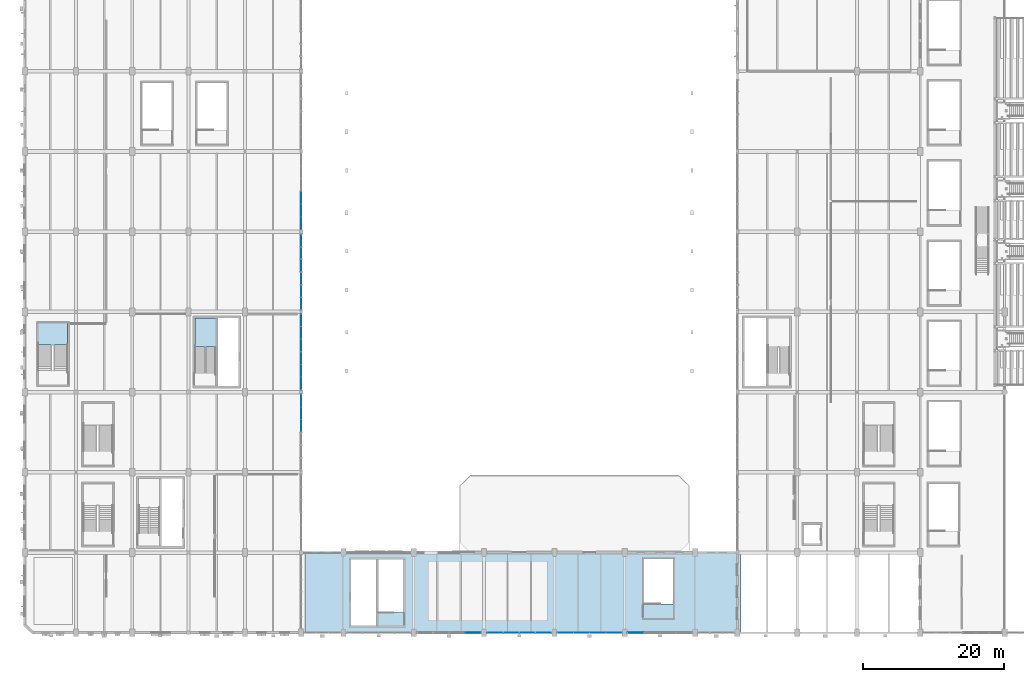
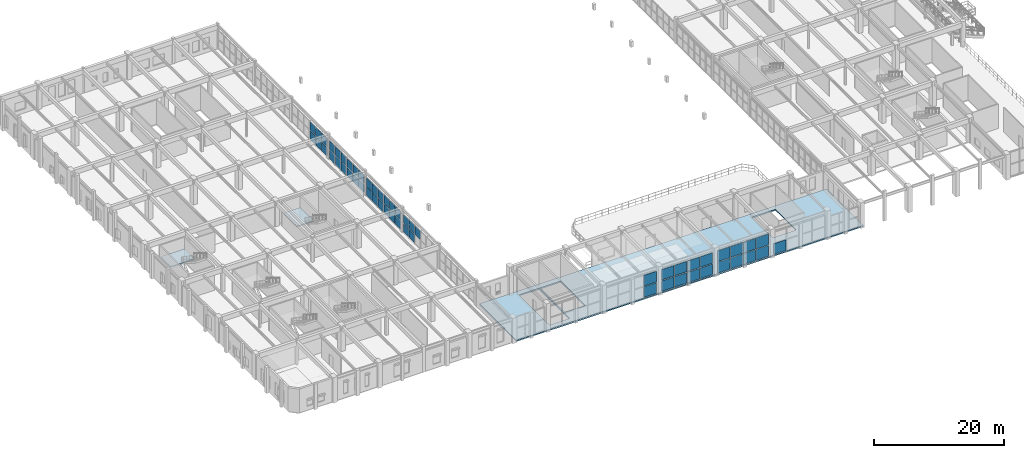
# One storey, part 69 of 106: 54 plates, 3 slabs, 12 elements without a shape of their own.
"""IFC4 building model written with IfcOpenShell, lengths in metres."""

from ifc_helpers import new_model, si_unit, direction, frame, origin, origin_2d, place, context, subcontext, project, spatial, polyline, rectangle, outline, extrude, material, layer, layer_set, type_object, element, aggregate, save


model = new_model("IFC4")

# Units and contexts
model_context = context("Model", 3, precision=1e-05, world=origin(), true_north=direction((0.0, 1.0)))
body_context = subcontext(model_context, "Body", "Model", "MODEL_VIEW")
ifc_project = project(units=[si_unit("LENGTHUNIT", "METRE"), si_unit("AREAUNIT", "SQUARE_METRE"), si_unit("VOLUMEUNIT", "CUBIC_METRE"), si_unit("PLANEANGLEUNIT", "RADIAN"), si_unit("MASSUNIT", "GRAM", prefix="KILO"), si_unit("POWERUNIT", "WATT"), si_unit("THERMODYNAMICTEMPERATUREUNIT", "KELVIN")], contexts=[model_context])

# Site, building, storey
site_placement = place(None, origin())
site = spatial("IfcSite", under=ifc_project, at=site_placement, CompositionType="ELEMENT")
building_placement = place(site_placement, origin())
building = spatial("IfcBuilding", under=site, at=building_placement, Name="Kelmbourne Parkland Aquatics Centre", CompositionType="ELEMENT")
storey_placement = place(building_placement, frame((0.0, 0.0, 5.39990234375)))
storey = spatial("IfcBuildingStorey", under=building, at=storey_placement, Name="L01", CompositionType="ELEMENT", Elevation=5.39990234375)

# Curtain wall, plates
ifc_material_1 = material(Name="Thermally broken anodised aluminium framing", Category="aluminium")
ifc_layer_1 = layer(ifc_material_1, 0.179931640625)
ifc_layer_set_1 = layer_set([ifc_layer_1], Name="Thermally broken anodised aluminium framing")
curtain_wall_type_1 = type_object("IfcCurtainWallType", Name="CW-20", PredefinedType="NOTDEFINED", material=ifc_layer_set_1)
curtain_wall_1_placement = place(storey_placement, origin())
curtain_wall_1 = element("IfcCurtainWall", 1, at=curtain_wall_1_placement, inside=storey, type_object=curtain_wall_type_1, Name="Facade curtain wall CW-L01-164", PredefinedType="NOTDEFINED")
ifc_material_2 = material(Name="Double-glazed low-e laminated safety glass", Category="glass")
ifc_layer_2 = layer(ifc_material_2, 0.02392578125)
ifc_layer_set_2 = layer_set([ifc_layer_2], Name="Double-glazed low-e laminated safety glass")
plate_type_1 = type_object("IfcPlateType", Name="PL-CWP-1", PredefinedType="CURTAIN_PANEL", material=ifc_layer_set_2)
plate_1_placement = place(storey_placement, frame((67.572021484375, 0.800048828125, 2.306640625), z_axis=(0.0, 0.0, 1.0), x_axis=(1.0, 0.0, 0.0)))
plate_1 = element("IfcPlate", 2, at=plate_1_placement, type_object=plate_type_1, Name="CW-L01-164 vision glazing 1-0", PredefinedType="CURTAIN_PANEL", context=body_context, shape_type="SweptSolid", body=[
    extrude(rectangle(XDim=2.1923828125, YDim=0.02392578125, at=origin_2d()), origin(), (0.0, 0.0, 1.0), 1.96142578125),
])
plate_2_placement = place(storey_placement, frame((69.857421875, 0.800048828125, 2.306640625), z_axis=(0.0, 0.0, 1.0), x_axis=(1.0, 0.0, 0.0)))
plate_2 = element("IfcPlate", 3, at=plate_2_placement, type_object=plate_type_1, Name="CW-L01-164 vision glazing 1-1", PredefinedType="CURTAIN_PANEL", context=body_context, shape_type="SweptSolid", body=[
    extrude(rectangle(XDim=2.192138671875, YDim=0.02392578125, at=origin_2d()), origin(), (0.0, 0.0, 1.0), 1.96142578125),
])
plate_3_placement = place(storey_placement, frame((72.142578125, 0.800048828125, 2.306640625), z_axis=(0.0, 0.0, 1.0), x_axis=(1.0, 0.0, 0.0)))
plate_3 = element("IfcPlate", 4, at=plate_3_placement, type_object=plate_type_1, Name="CW-L01-164 vision glazing 1-2", PredefinedType="CURTAIN_PANEL", context=body_context, shape_type="SweptSolid", body=[
    extrude(rectangle(XDim=2.1923828125, YDim=0.02392578125, at=origin_2d()), origin(), (0.0, 0.0, 1.0), 1.96142578125),
])
plate_4_placement = place(storey_placement, frame((74.427978515625, 0.800048828125, 2.306640625), z_axis=(0.0, 0.0, 1.0), x_axis=(1.0, 0.0, 0.0)))
plate_4 = element("IfcPlate", 5, at=plate_4_placement, type_object=plate_type_1, Name="CW-L01-164 vision glazing 1-3", PredefinedType="CURTAIN_PANEL", context=body_context, shape_type="SweptSolid", body=[
    extrude(rectangle(XDim=2.192138671875, YDim=0.02392578125, at=origin_2d()), origin(), (0.0, 0.0, 1.0), 1.96142578125),
])

ifc_layer_3 = layer(ifc_material_1, 0.179931640625)
ifc_layer_set_3 = layer_set([ifc_layer_3], Name="Thermally broken anodised aluminium framing")
curtain_wall_type_2 = type_object("IfcCurtainWallType", Name="CW-21", PredefinedType="NOTDEFINED", material=ifc_layer_set_3)
curtain_wall_2_placement = place(storey_placement, origin())
curtain_wall_2 = element("IfcCurtainWall", 6, at=curtain_wall_2_placement, inside=storey, type_object=curtain_wall_type_2, Name="Facade curtain wall CW-L01-165", PredefinedType="NOTDEFINED")
plate_5_placement = place(storey_placement, frame((77.55712890625, 0.800048828125, 0.1171875), z_axis=(0.0, 0.0, 1.0), x_axis=(1.0, 0.0, 0.0)))
plate_5 = element("IfcPlate", 7, at=plate_5_placement, type_object=plate_type_1, Name="CW-L01-165 vision glazing 0-0", PredefinedType="CURTAIN_PANEL", context=body_context, shape_type="SweptSolid", body=[
    extrude(rectangle(XDim=2.2421875, YDim=0.02392578125, at=origin_2d()), origin(), (0.0, 0.0, 1.0), 2.051513671875),
])
plate_6_placement = place(storey_placement, frame((79.852294921875, 0.800048828125, 0.1171875), z_axis=(0.0, 0.0, 1.0), x_axis=(1.0, 0.0, 0.0)))
plate_6 = element("IfcPlate", 8, at=plate_6_placement, type_object=plate_type_1, Name="CW-L01-165 vision glazing 0-1", PredefinedType="CURTAIN_PANEL", context=body_context, shape_type="SweptSolid", body=[
    extrude(rectangle(XDim=2.2421875, YDim=0.02392578125, at=origin_2d()), origin(), (0.0, 0.0, 1.0), 2.051513671875),
])
plate_7_placement = place(storey_placement, frame((82.147705078125, 0.800048828125, 0.1171875), z_axis=(0.0, 0.0, 1.0), x_axis=(1.0, 0.0, 0.0)))
plate_7 = element("IfcPlate", 9, at=plate_7_placement, type_object=plate_type_1, Name="CW-L01-165 vision glazing 0-2", PredefinedType="CURTAIN_PANEL", context=body_context, shape_type="SweptSolid", body=[
    extrude(rectangle(XDim=2.2421875, YDim=0.02392578125, at=origin_2d()), origin(), (0.0, 0.0, 1.0), 2.051513671875),
])
plate_8_placement = place(storey_placement, frame((84.44287109375, 0.800048828125, 0.1171875), z_axis=(0.0, 0.0, 1.0), x_axis=(1.0, 0.0, 0.0)))
plate_8 = element("IfcPlate", 10, at=plate_8_placement, type_object=plate_type_1, Name="CW-L01-165 vision glazing 0-3", PredefinedType="CURTAIN_PANEL", context=body_context, shape_type="SweptSolid", body=[
    extrude(rectangle(XDim=2.2421875, YDim=0.02392578125, at=origin_2d()), origin(), (0.0, 0.0, 1.0), 2.051513671875),
])

ifc_layer_4 = layer(ifc_material_1, 0.179931640625)
ifc_layer_set_4 = layer_set([ifc_layer_4], Name="Thermally broken anodised aluminium framing")
curtain_wall_type_3 = type_object("IfcCurtainWallType", Name="CW-14", PredefinedType="NOTDEFINED", material=ifc_layer_set_4)
curtain_wall_3_placement = place(storey_placement, origin())
curtain_wall_3 = element("IfcCurtainWall", 11, at=curtain_wall_3_placement, inside=storey, type_object=curtain_wall_type_3, Name="Facade curtain wall CW-L01-230", PredefinedType="NOTDEFINED")
plate_9_placement = place(storey_placement, frame((40.0, 30.200439453125, 1.90673828125), z_axis=(0.0, 0.0, 1.0), x_axis=(0.0, 1.0, 0.0)))
plate_9 = element("IfcPlate", 12, at=plate_9_placement, type_object=plate_type_1, Name="CW-L01-230 vision glazing 1-0", PredefinedType="CURTAIN_PANEL", context=body_context, shape_type="SweptSolid", body=[
    extrude(rectangle(XDim=1.73291015625, YDim=0.02392578125, at=origin_2d()), origin(), (0.0, 0.0, 1.0), 1.5615234375),
])
plate_10_placement = place(storey_placement, frame((40.0, 31.986572265625, 1.90673828125), z_axis=(0.0, 0.0, 1.0), x_axis=(0.0, 1.0, 0.0)))
plate_10 = element("IfcPlate", 13, at=plate_10_placement, type_object=plate_type_1, Name="CW-L01-230 vision glazing 1-1", PredefinedType="CURTAIN_PANEL", context=body_context, shape_type="SweptSolid", body=[
    extrude(rectangle(XDim=1.73291015625, YDim=0.02392578125, at=origin_2d()), origin(), (0.0, 0.0, 1.0), 1.5615234375),
])
plate_11_placement = place(storey_placement, frame((40.0, 33.7724609375, 1.90673828125), z_axis=(0.0, 0.0, 1.0), x_axis=(0.0, 1.0, 0.0)))
plate_11 = element("IfcPlate", 14, at=plate_11_placement, type_object=plate_type_1, Name="CW-L01-230 vision glazing 1-2", PredefinedType="CURTAIN_PANEL", context=body_context, shape_type="SweptSolid", body=[
    extrude(rectangle(XDim=1.73291015625, YDim=0.02392578125, at=origin_2d()), origin(), (0.0, 0.0, 1.0), 1.5615234375),
])

ifc_layer_5 = layer(ifc_material_1, 0.179931640625)
ifc_layer_set_5 = layer_set([ifc_layer_5], Name="Thermally broken anodised aluminium framing")
curtain_wall_type_4 = type_object("IfcCurtainWallType", Name="CW-15", PredefinedType="NOTDEFINED", material=ifc_layer_set_5)
curtain_wall_4_placement = place(storey_placement, origin())
curtain_wall_4 = element("IfcCurtainWall", 15, at=curtain_wall_4_placement, inside=storey, type_object=curtain_wall_type_4, Name="Facade curtain wall CW-L01-231", PredefinedType="NOTDEFINED")
plate_12_placement = place(storey_placement, frame((40.0, 36.230712890625, 0.1171875), z_axis=(0.0, 0.0, 1.0), x_axis=(0.0, 1.0, 0.0)))
plate_12 = element("IfcPlate", 16, at=plate_12_placement, type_object=plate_type_1, Name="CW-L01-231 vision glazing 0-0", PredefinedType="CURTAIN_PANEL", context=body_context, shape_type="SweptSolid", body=[
    extrude(rectangle(XDim=1.7197265625, YDim=0.02392578125, at=origin_2d()), origin(), (0.0, 0.0, 1.0), 1.651611328125),
])
plate_13_placement = place(storey_placement, frame((40.0, 38.013427734375, 0.1171875), z_axis=(0.0, 0.0, 1.0), x_axis=(0.0, 1.0, 0.0)))
plate_13 = element("IfcPlate", 17, at=plate_13_placement, type_object=plate_type_1, Name="CW-L01-231 vision glazing 0-1", PredefinedType="CURTAIN_PANEL", context=body_context, shape_type="SweptSolid", body=[
    extrude(rectangle(XDim=1.719482421875, YDim=0.02392578125, at=origin_2d()), origin(), (0.0, 0.0, 1.0), 1.651611328125),
])
plate_14_placement = place(storey_placement, frame((40.0, 39.796142578125, 0.1171875), z_axis=(0.0, 0.0, 1.0), x_axis=(0.0, 1.0, 0.0)))
plate_14 = element("IfcPlate", 18, at=plate_14_placement, type_object=plate_type_1, Name="CW-L01-231 vision glazing 0-2", PredefinedType="CURTAIN_PANEL", context=body_context, shape_type="SweptSolid", body=[
    extrude(rectangle(XDim=1.7197265625, YDim=0.02392578125, at=origin_2d()), origin(), (0.0, 0.0, 1.0), 1.651611328125),
])

ifc_layer_6 = layer(ifc_material_1, 0.179931640625)
ifc_layer_set_6 = layer_set([ifc_layer_6], Name="Thermally broken anodised aluminium framing")
curtain_wall_type_5 = type_object("IfcCurtainWallType", Name="CW-17", PredefinedType="NOTDEFINED", material=ifc_layer_set_6)
curtain_wall_5_placement = place(storey_placement, origin())
curtain_wall_5 = element("IfcCurtainWall", 19, at=curtain_wall_5_placement, inside=storey, type_object=curtain_wall_type_5, Name="Facade curtain wall CW-L01-233", PredefinedType="NOTDEFINED")
plate_15_placement = place(storey_placement, frame((40.0, 47.58740234375, 1.90673828125), z_axis=(0.0, 0.0, 1.0), x_axis=(0.0, 1.0, 0.0)))
plate_15 = element("IfcPlate", 20, at=plate_15_placement, type_object=plate_type_1, Name="CW-L01-233 vision glazing 1-0", PredefinedType="CURTAIN_PANEL", context=body_context, shape_type="SweptSolid", body=[
    extrude(rectangle(XDim=1.693115234375, YDim=0.02392578125, at=origin_2d()), origin(), (0.0, 0.0, 1.0), 1.5615234375),
])
plate_16_placement = place(storey_placement, frame((40.0, 49.363525390625, 1.90673828125), z_axis=(0.0, 0.0, 1.0), x_axis=(0.0, 1.0, 0.0)))
plate_16 = element("IfcPlate", 21, at=plate_16_placement, type_object=plate_type_1, Name="CW-L01-233 vision glazing 1-1", PredefinedType="CURTAIN_PANEL", context=body_context, shape_type="SweptSolid", body=[
    extrude(rectangle(XDim=1.693115234375, YDim=0.02392578125, at=origin_2d()), origin(), (0.0, 0.0, 1.0), 1.5615234375),
])
plate_17_placement = place(storey_placement, frame((40.0, 51.139404296875, 1.90673828125), z_axis=(0.0, 0.0, 1.0), x_axis=(0.0, 1.0, 0.0)))
plate_17 = element("IfcPlate", 22, at=plate_17_placement, type_object=plate_type_1, Name="CW-L01-233 vision glazing 1-2", PredefinedType="CURTAIN_PANEL", context=body_context, shape_type="SweptSolid", body=[
    extrude(rectangle(XDim=1.693115234375, YDim=0.02392578125, at=origin_2d()), origin(), (0.0, 0.0, 1.0), 1.5615234375),
])

ifc_layer_7 = layer(ifc_material_1, 0.179931640625)
ifc_layer_set_7 = layer_set([ifc_layer_7], Name="Thermally broken anodised aluminium framing")
curtain_wall_type_6 = type_object("IfcCurtainWallType", Name="CW-18", PredefinedType="NOTDEFINED", material=ifc_layer_set_7)
curtain_wall_6_placement = place(storey_placement, origin())
curtain_wall_6 = element("IfcCurtainWall", 23, at=curtain_wall_6_placement, inside=storey, type_object=curtain_wall_type_6, Name="Facade curtain wall CW-L01-234", PredefinedType="NOTDEFINED")
plate_18_placement = place(storey_placement, frame((40.0, 53.013916015625, 0.1171875), z_axis=(0.0, 0.0, 1.0), x_axis=(0.0, 1.0, 0.0)))
plate_18 = element("IfcPlate", 24, at=plate_18_placement, type_object=plate_type_1, Name="CW-L01-234 vision glazing 0-0", PredefinedType="CURTAIN_PANEL", context=body_context, shape_type="SweptSolid", body=[
    extrude(rectangle(XDim=1.6796875, YDim=0.02392578125, at=origin_2d()), origin(), (0.0, 0.0, 1.0), 1.651611328125),
])
plate_19_placement = place(storey_placement, frame((40.0, 54.78662109375, 0.1171875), z_axis=(0.0, 0.0, 1.0), x_axis=(0.0, 1.0, 0.0)))
plate_19 = element("IfcPlate", 25, at=plate_19_placement, type_object=plate_type_1, Name="CW-L01-234 vision glazing 0-1", PredefinedType="CURTAIN_PANEL", context=body_context, shape_type="SweptSolid", body=[
    extrude(rectangle(XDim=1.6796875, YDim=0.02392578125, at=origin_2d()), origin(), (0.0, 0.0, 1.0), 1.651611328125),
])
plate_20_placement = place(storey_placement, frame((40.0, 56.55908203125, 0.1171875), z_axis=(0.0, 0.0, 1.0), x_axis=(0.0, 1.0, 0.0)))
plate_20 = element("IfcPlate", 26, at=plate_20_placement, type_object=plate_type_1, Name="CW-L01-234 vision glazing 0-2", PredefinedType="CURTAIN_PANEL", context=body_context, shape_type="SweptSolid", body=[
    extrude(rectangle(XDim=1.6796875, YDim=0.02392578125, at=origin_2d()), origin(), (0.0, 0.0, 1.0), 1.651611328125),
])

# Curtain wall, plate
ifc_layer_8 = layer(ifc_material_1, 0.179931640625)
ifc_layer_set_8 = layer_set([ifc_layer_8], Name="Thermally broken anodised aluminium framing")
curtain_wall_type_7 = type_object("IfcCurtainWallType", Name="CW-19", PredefinedType="NOTDEFINED", material=ifc_layer_set_8)
curtain_wall_7_placement = place(storey_placement, origin())
curtain_wall_7 = element("IfcCurtainWall", 27, at=curtain_wall_7_placement, inside=storey, type_object=curtain_wall_type_7, Name="Facade curtain wall CW-L01-163", PredefinedType="NOTDEFINED")
ifc_layer_9 = layer(ifc_material_2, 0.035888671875)
ifc_layer_set_9 = layer_set([ifc_layer_9], Name="Double-glazed low-e laminated safety glass")
plate_type_2 = type_object("IfcPlateType", Name="PL-CWP-2", PredefinedType="CURTAIN_PANEL", material=ifc_layer_set_9)
plate_21_placement = place(storey_placement, frame((64.431640625, 0.800048828125, 0.14697265625), z_axis=(0.0, 0.0, 1.0), x_axis=(1.0, 0.0, 0.0)))
plate_21 = element("IfcPlate", 28, at=plate_21_placement, type_object=plate_type_2, Name="CW-L01-163 vision glazing 0-3", PredefinedType="CURTAIN_PANEL", context=body_context, shape_type="SweptSolid", body=[
    extrude(rectangle(XDim=2.20458984375, YDim=0.035888671875, at=origin_2d()), origin(), (0.0, 0.0, 1.0), 2.006591796875),
])

# Plate
plate_22_placement = place(storey_placement, frame((77.55712890625, 0.800048828125, 2.2763671875), z_axis=(0.0, 0.0, 1.0), x_axis=(1.0, 0.0, 0.0)))
plate_22 = element("IfcPlate", 29, at=plate_22_placement, type_object=plate_type_2, Name="CW-L01-165 vision glazing 1-0", PredefinedType="CURTAIN_PANEL", context=body_context, shape_type="SweptSolid", body=[
    extrude(rectangle(XDim=2.2421875, YDim=0.035888671875, at=origin_2d()), origin(), (0.0, 0.0, 1.0), 2.051513671875),
])

plate_23_placement = place(storey_placement, frame((79.852294921875, 0.800048828125, 2.2763671875), z_axis=(0.0, 0.0, 1.0), x_axis=(1.0, 0.0, 0.0)))
plate_23 = element("IfcPlate", 30, at=plate_23_placement, type_object=plate_type_2, Name="CW-L01-165 vision glazing 1-1", PredefinedType="CURTAIN_PANEL", context=body_context, shape_type="SweptSolid", body=[
    extrude(rectangle(XDim=2.2421875, YDim=0.035888671875, at=origin_2d()), origin(), (0.0, 0.0, 1.0), 2.051513671875),
])

plate_24_placement = place(storey_placement, frame((82.147705078125, 0.800048828125, 2.2763671875), z_axis=(0.0, 0.0, 1.0), x_axis=(1.0, 0.0, 0.0)))
plate_24 = element("IfcPlate", 31, at=plate_24_placement, type_object=plate_type_2, Name="CW-L01-165 vision glazing 1-2", PredefinedType="CURTAIN_PANEL", context=body_context, shape_type="SweptSolid", body=[
    extrude(rectangle(XDim=2.2421875, YDim=0.035888671875, at=origin_2d()), origin(), (0.0, 0.0, 1.0), 2.051513671875),
])

plate_25_placement = place(storey_placement, frame((84.44287109375, 0.800048828125, 2.2763671875), z_axis=(0.0, 0.0, 1.0), x_axis=(1.0, 0.0, 0.0)))
plate_25 = element("IfcPlate", 32, at=plate_25_placement, type_object=plate_type_2, Name="CW-L01-165 vision glazing 1-3", PredefinedType="CURTAIN_PANEL", context=body_context, shape_type="SweptSolid", body=[
    extrude(rectangle(XDim=2.2421875, YDim=0.035888671875, at=origin_2d()), origin(), (0.0, 0.0, 1.0), 2.051513671875),
])

aggregate(curtain_wall_2, [plate_5, plate_6, plate_7, plate_8, plate_22, plate_23, plate_24, plate_25])

# Curtain wall, plate
ifc_layer_10 = layer(ifc_material_1, 0.179931640625)
ifc_layer_set_10 = layer_set([ifc_layer_10], Name="Thermally broken anodised aluminium framing")
curtain_wall_type_8 = type_object("IfcCurtainWallType", Name="CW-22", PredefinedType="NOTDEFINED", material=ifc_layer_set_10)
curtain_wall_8_placement = place(storey_placement, origin())
curtain_wall_8 = element("IfcCurtainWall", 33, at=curtain_wall_8_placement, inside=storey, type_object=curtain_wall_type_8, Name="Facade curtain wall CW-L01-166", PredefinedType="NOTDEFINED")
plate_26_placement = place(storey_placement, frame((87.560791015625, 0.800048828125, 0.14697265625), z_axis=(0.0, 0.0, 1.0), x_axis=(1.0, 0.0, 0.0)))
plate_26 = element("IfcPlate", 34, at=plate_26_placement, type_object=plate_type_2, Name="CW-L01-166 vision glazing 0-0", PredefinedType="CURTAIN_PANEL", context=body_context, shape_type="SweptSolid", body=[
    extrude(rectangle(XDim=2.229736328125, YDim=0.035888671875, at=origin_2d()), origin(), (0.0, 0.0, 1.0), 2.006591796875),
])
aggregate(curtain_wall_8, [plate_26])

# Plate
plate_27_placement = place(storey_placement, frame((40.0, 36.230712890625, 1.87646484375), z_axis=(0.0, 0.0, 1.0), x_axis=(0.0, 1.0, 0.0)))
plate_27 = element("IfcPlate", 35, at=plate_27_placement, type_object=plate_type_2, Name="CW-L01-231 vision glazing 1-0", PredefinedType="CURTAIN_PANEL", context=body_context, shape_type="SweptSolid", body=[
    extrude(rectangle(XDim=1.7197265625, YDim=0.035888671875, at=origin_2d()), origin(), (0.0, 0.0, 1.0), 1.651611328125),
])

plate_28_placement = place(storey_placement, frame((40.0, 38.013427734375, 1.87646484375), z_axis=(0.0, 0.0, 1.0), x_axis=(0.0, 1.0, 0.0)))
plate_28 = element("IfcPlate", 36, at=plate_28_placement, type_object=plate_type_2, Name="CW-L01-231 vision glazing 1-1", PredefinedType="CURTAIN_PANEL", context=body_context, shape_type="SweptSolid", body=[
    extrude(rectangle(XDim=1.719482421875, YDim=0.035888671875, at=origin_2d()), origin(), (0.0, 0.0, 1.0), 1.651611328125),
])

plate_29_placement = place(storey_placement, frame((40.0, 39.796142578125, 1.87646484375), z_axis=(0.0, 0.0, 1.0), x_axis=(0.0, 1.0, 0.0)))
plate_29 = element("IfcPlate", 37, at=plate_29_placement, type_object=plate_type_2, Name="CW-L01-231 vision glazing 1-2", PredefinedType="CURTAIN_PANEL", context=body_context, shape_type="SweptSolid", body=[
    extrude(rectangle(XDim=1.7197265625, YDim=0.035888671875, at=origin_2d()), origin(), (0.0, 0.0, 1.0), 1.651611328125),
])

aggregate(curtain_wall_4, [plate_12, plate_13, plate_14, plate_27, plate_28, plate_29])

# Curtain wall, plates
ifc_layer_11 = layer(ifc_material_1, 0.179931640625)
ifc_layer_set_11 = layer_set([ifc_layer_11], Name="Thermally broken anodised aluminium framing")
curtain_wall_type_9 = type_object("IfcCurtainWallType", Name="CW-16", PredefinedType="NOTDEFINED", material=ifc_layer_set_11)
curtain_wall_9_placement = place(storey_placement, origin())
curtain_wall_9 = element("IfcCurtainWall", 38, at=curtain_wall_9_placement, inside=storey, type_object=curtain_wall_type_9, Name="Facade curtain wall CW-L01-232", PredefinedType="NOTDEFINED")
plate_30_placement = place(storey_placement, frame((40.0, 41.6572265625, 0.14697265625), z_axis=(0.0, 0.0, 1.0), x_axis=(0.0, 1.0, 0.0)))
plate_30 = element("IfcPlate", 39, at=plate_30_placement, type_object=plate_type_2, Name="CW-L01-232 vision glazing 0-0", PredefinedType="CURTAIN_PANEL", context=body_context, shape_type="SweptSolid", body=[
    extrude(rectangle(XDim=1.706298828125, YDim=0.035888671875, at=origin_2d()), origin(), (0.0, 0.0, 1.0), 1.6064453125),
])
plate_31_placement = place(storey_placement, frame((40.0, 43.4365234375, 0.14697265625), z_axis=(0.0, 0.0, 1.0), x_axis=(0.0, 1.0, 0.0)))
plate_31 = element("IfcPlate", 40, at=plate_31_placement, type_object=plate_type_2, Name="CW-L01-232 vision glazing 0-1", PredefinedType="CURTAIN_PANEL", context=body_context, shape_type="SweptSolid", body=[
    extrude(rectangle(XDim=1.706298828125, YDim=0.035888671875, at=origin_2d()), origin(), (0.0, 0.0, 1.0), 1.6064453125),
])
plate_32_placement = place(storey_placement, frame((40.0, 45.2158203125, 0.14697265625), z_axis=(0.0, 0.0, 1.0), x_axis=(0.0, 1.0, 0.0)))
plate_32 = element("IfcPlate", 41, at=plate_32_placement, type_object=plate_type_2, Name="CW-L01-232 vision glazing 0-2", PredefinedType="CURTAIN_PANEL", context=body_context, shape_type="SweptSolid", body=[
    extrude(rectangle(XDim=1.706298828125, YDim=0.035888671875, at=origin_2d()), origin(), (0.0, 0.0, 1.0), 1.6064453125),
])

# Plate
plate_33_placement = place(storey_placement, frame((40.0, 53.013916015625, 1.87646484375), z_axis=(0.0, 0.0, 1.0), x_axis=(0.0, 1.0, 0.0)))
plate_33 = element("IfcPlate", 42, at=plate_33_placement, type_object=plate_type_2, Name="CW-L01-234 vision glazing 1-0", PredefinedType="CURTAIN_PANEL", context=body_context, shape_type="SweptSolid", body=[
    extrude(rectangle(XDim=1.6796875, YDim=0.035888671875, at=origin_2d()), origin(), (0.0, 0.0, 1.0), 1.651611328125),
])

plate_34_placement = place(storey_placement, frame((40.0, 54.78662109375, 1.87646484375), z_axis=(0.0, 0.0, 1.0), x_axis=(0.0, 1.0, 0.0)))
plate_34 = element("IfcPlate", 43, at=plate_34_placement, type_object=plate_type_2, Name="CW-L01-234 vision glazing 1-1", PredefinedType="CURTAIN_PANEL", context=body_context, shape_type="SweptSolid", body=[
    extrude(rectangle(XDim=1.6796875, YDim=0.035888671875, at=origin_2d()), origin(), (0.0, 0.0, 1.0), 1.651611328125),
])

plate_35_placement = place(storey_placement, frame((40.0, 56.55908203125, 1.87646484375), z_axis=(0.0, 0.0, 1.0), x_axis=(0.0, 1.0, 0.0)))
plate_35 = element("IfcPlate", 44, at=plate_35_placement, type_object=plate_type_2, Name="CW-L01-234 vision glazing 1-2", PredefinedType="CURTAIN_PANEL", context=body_context, shape_type="SweptSolid", body=[
    extrude(rectangle(XDim=1.6796875, YDim=0.035888671875, at=origin_2d()), origin(), (0.0, 0.0, 1.0), 1.651611328125),
])

aggregate(curtain_wall_6, [plate_18, plate_19, plate_20, plate_33, plate_34, plate_35])

# Curtain wall, plates
curtain_wall_10_placement = place(storey_placement, origin())
curtain_wall_10 = element("IfcCurtainWall", 45, at=curtain_wall_10_placement, inside=storey, type_object=curtain_wall_type_7, Name="Facade curtain wall CW-L01-235", PredefinedType="NOTDEFINED")
plate_36_placement = place(storey_placement, frame((40.0, 59.027587890625, 0.14697265625), z_axis=(0.0, 0.0, 1.0), x_axis=(0.0, 1.0, 0.0)))
plate_36 = element("IfcPlate", 46, at=plate_36_placement, type_object=plate_type_2, Name="CW-L01-235 vision glazing 0-0", PredefinedType="CURTAIN_PANEL", context=body_context, shape_type="SweptSolid", body=[
    extrude(rectangle(XDim=1.73291015625, YDim=0.035888671875, at=origin_2d()), origin(), (0.0, 0.0, 1.0), 1.6064453125),
])
plate_37_placement = place(storey_placement, frame((40.0, 60.8134765625, 0.14697265625), z_axis=(0.0, 0.0, 1.0), x_axis=(0.0, 1.0, 0.0)))
plate_37 = element("IfcPlate", 47, at=plate_37_placement, type_object=plate_type_2, Name="CW-L01-235 vision glazing 0-1", PredefinedType="CURTAIN_PANEL", context=body_context, shape_type="SweptSolid", body=[
    extrude(rectangle(XDim=1.73291015625, YDim=0.035888671875, at=origin_2d()), origin(), (0.0, 0.0, 1.0), 1.6064453125),
])
plate_38_placement = place(storey_placement, frame((40.0, 62.599609375, 0.14697265625), z_axis=(0.0, 0.0, 1.0), x_axis=(0.0, 1.0, 0.0)))
plate_38 = element("IfcPlate", 48, at=plate_38_placement, type_object=plate_type_2, Name="CW-L01-235 vision glazing 0-2", PredefinedType="CURTAIN_PANEL", context=body_context, shape_type="SweptSolid", body=[
    extrude(rectangle(XDim=1.73291015625, YDim=0.035888671875, at=origin_2d()), origin(), (0.0, 0.0, 1.0), 1.6064453125),
])

# Plate
ifc_layer_12 = layer(ifc_material_2, 0.048095703125)
ifc_layer_set_12 = layer_set([ifc_layer_12], Name="Double-glazed low-e laminated safety glass")
plate_type_3 = type_object("IfcPlateType", Name="PL-CWP-3", PredefinedType="CURTAIN_PANEL", material=ifc_layer_set_12)
plate_39_placement = place(storey_placement, frame((64.431640625, 0.800048828125, 2.29150390625), z_axis=(0.0, 0.0, 1.0), x_axis=(1.0, 0.0, 0.0)))
plate_39 = element("IfcPlate", 49, at=plate_39_placement, type_object=plate_type_3, Name="CW-L01-163 vision glazing 1-3", PredefinedType="CURTAIN_PANEL", context=body_context, shape_type="SweptSolid", body=[
    extrude(rectangle(XDim=2.20458984375, YDim=0.048095703125, at=origin_2d()), origin(), (0.0, 0.0, 1.0), 2.006591796875),
])

aggregate(curtain_wall_7, [plate_21, plate_39])

plate_40_placement = place(storey_placement, frame((67.572021484375, 0.800048828125, 0.17724609375), z_axis=(0.0, 0.0, 1.0), x_axis=(1.0, 0.0, 0.0)))
plate_40 = element("IfcPlate", 50, at=plate_40_placement, type_object=plate_type_3, Name="CW-L01-164 vision glazing 0-0", PredefinedType="CURTAIN_PANEL", context=body_context, shape_type="SweptSolid", body=[
    extrude(rectangle(XDim=2.1923828125, YDim=0.048095703125, at=origin_2d()), origin(), (0.0, 0.0, 1.0), 1.96142578125),
])

plate_41_placement = place(storey_placement, frame((69.857421875, 0.800048828125, 0.17724609375), z_axis=(0.0, 0.0, 1.0), x_axis=(1.0, 0.0, 0.0)))
plate_41 = element("IfcPlate", 51, at=plate_41_placement, type_object=plate_type_3, Name="CW-L01-164 vision glazing 0-1", PredefinedType="CURTAIN_PANEL", context=body_context, shape_type="SweptSolid", body=[
    extrude(rectangle(XDim=2.192138671875, YDim=0.048095703125, at=origin_2d()), origin(), (0.0, 0.0, 1.0), 1.96142578125),
])

plate_42_placement = place(storey_placement, frame((72.142578125, 0.800048828125, 0.17724609375), z_axis=(0.0, 0.0, 1.0), x_axis=(1.0, 0.0, 0.0)))
plate_42 = element("IfcPlate", 52, at=plate_42_placement, type_object=plate_type_3, Name="CW-L01-164 vision glazing 0-2", PredefinedType="CURTAIN_PANEL", context=body_context, shape_type="SweptSolid", body=[
    extrude(rectangle(XDim=2.1923828125, YDim=0.048095703125, at=origin_2d()), origin(), (0.0, 0.0, 1.0), 1.96142578125),
])

plate_43_placement = place(storey_placement, frame((74.427978515625, 0.800048828125, 0.17724609375), z_axis=(0.0, 0.0, 1.0), x_axis=(1.0, 0.0, 0.0)))
plate_43 = element("IfcPlate", 53, at=plate_43_placement, type_object=plate_type_3, Name="CW-L01-164 vision glazing 0-3", PredefinedType="CURTAIN_PANEL", context=body_context, shape_type="SweptSolid", body=[
    extrude(rectangle(XDim=2.192138671875, YDim=0.048095703125, at=origin_2d()), origin(), (0.0, 0.0, 1.0), 1.96142578125),
])

aggregate(curtain_wall_1, [plate_40, plate_41, plate_42, plate_43, plate_1, plate_2, plate_3, plate_4])

plate_44_placement = place(storey_placement, frame((40.0, 31.986572265625, 0.17724609375), z_axis=(0.0, 0.0, 1.0), x_axis=(0.0, 1.0, 0.0)))
plate_44 = element("IfcPlate", 54, at=plate_44_placement, type_object=plate_type_3, Name="CW-L01-230 vision glazing 0-1", PredefinedType="CURTAIN_PANEL", context=body_context, shape_type="SweptSolid", body=[
    extrude(rectangle(XDim=1.73291015625, YDim=0.048095703125, at=origin_2d()), origin(), (0.0, 0.0, 1.0), 1.5615234375),
])

plate_45_placement = place(storey_placement, frame((40.0, 33.7724609375, 0.17724609375), z_axis=(0.0, 0.0, 1.0), x_axis=(0.0, 1.0, 0.0)))
plate_45 = element("IfcPlate", 55, at=plate_45_placement, type_object=plate_type_3, Name="CW-L01-230 vision glazing 0-2", PredefinedType="CURTAIN_PANEL", context=body_context, shape_type="SweptSolid", body=[
    extrude(rectangle(XDim=1.73291015625, YDim=0.048095703125, at=origin_2d()), origin(), (0.0, 0.0, 1.0), 1.5615234375),
])

aggregate(curtain_wall_3, [plate_44, plate_45, plate_9, plate_10, plate_11])

plate_46_placement = place(storey_placement, frame((40.0, 41.6572265625, 1.8916015625), z_axis=(0.0, 0.0, 1.0), x_axis=(0.0, 1.0, 0.0)))
plate_46 = element("IfcPlate", 56, at=plate_46_placement, type_object=plate_type_3, Name="CW-L01-232 vision glazing 1-0", PredefinedType="CURTAIN_PANEL", context=body_context, shape_type="SweptSolid", body=[
    extrude(rectangle(XDim=1.706298828125, YDim=0.048095703125, at=origin_2d()), origin(), (0.0, 0.0, 1.0), 1.6064453125),
])

plate_47_placement = place(storey_placement, frame((40.0, 43.4365234375, 1.8916015625), z_axis=(0.0, 0.0, 1.0), x_axis=(0.0, 1.0, 0.0)))
plate_47 = element("IfcPlate", 57, at=plate_47_placement, type_object=plate_type_3, Name="CW-L01-232 vision glazing 1-1", PredefinedType="CURTAIN_PANEL", context=body_context, shape_type="SweptSolid", body=[
    extrude(rectangle(XDim=1.706298828125, YDim=0.048095703125, at=origin_2d()), origin(), (0.0, 0.0, 1.0), 1.6064453125),
])

plate_48_placement = place(storey_placement, frame((40.0, 45.2158203125, 1.8916015625), z_axis=(0.0, 0.0, 1.0), x_axis=(0.0, 1.0, 0.0)))
plate_48 = element("IfcPlate", 58, at=plate_48_placement, type_object=plate_type_3, Name="CW-L01-232 vision glazing 1-2", PredefinedType="CURTAIN_PANEL", context=body_context, shape_type="SweptSolid", body=[
    extrude(rectangle(XDim=1.706298828125, YDim=0.048095703125, at=origin_2d()), origin(), (0.0, 0.0, 1.0), 1.6064453125),
])

aggregate(curtain_wall_9, [plate_30, plate_31, plate_32, plate_46, plate_47, plate_48])

plate_49_placement = place(storey_placement, frame((40.0, 47.58740234375, 0.17724609375), z_axis=(0.0, 0.0, 1.0), x_axis=(0.0, 1.0, 0.0)))
plate_49 = element("IfcPlate", 59, at=plate_49_placement, type_object=plate_type_3, Name="CW-L01-233 vision glazing 0-0", PredefinedType="CURTAIN_PANEL", context=body_context, shape_type="SweptSolid", body=[
    extrude(rectangle(XDim=1.693115234375, YDim=0.048095703125, at=origin_2d()), origin(), (0.0, 0.0, 1.0), 1.5615234375),
])

plate_50_placement = place(storey_placement, frame((40.0, 49.363525390625, 0.17724609375), z_axis=(0.0, 0.0, 1.0), x_axis=(0.0, 1.0, 0.0)))
plate_50 = element("IfcPlate", 60, at=plate_50_placement, type_object=plate_type_3, Name="CW-L01-233 vision glazing 0-1", PredefinedType="CURTAIN_PANEL", context=body_context, shape_type="SweptSolid", body=[
    extrude(rectangle(XDim=1.693115234375, YDim=0.048095703125, at=origin_2d()), origin(), (0.0, 0.0, 1.0), 1.5615234375),
])

plate_51_placement = place(storey_placement, frame((40.0, 51.139404296875, 0.17724609375), z_axis=(0.0, 0.0, 1.0), x_axis=(0.0, 1.0, 0.0)))
plate_51 = element("IfcPlate", 61, at=plate_51_placement, type_object=plate_type_3, Name="CW-L01-233 vision glazing 0-2", PredefinedType="CURTAIN_PANEL", context=body_context, shape_type="SweptSolid", body=[
    extrude(rectangle(XDim=1.693115234375, YDim=0.048095703125, at=origin_2d()), origin(), (0.0, 0.0, 1.0), 1.5615234375),
])

aggregate(curtain_wall_5, [plate_49, plate_50, plate_51, plate_15, plate_16, plate_17])

plate_52_placement = place(storey_placement, frame((40.0, 59.027587890625, 1.8916015625), z_axis=(0.0, 0.0, 1.0), x_axis=(0.0, 1.0, 0.0)))
plate_52 = element("IfcPlate", 62, at=plate_52_placement, type_object=plate_type_3, Name="CW-L01-235 vision glazing 1-0", PredefinedType="CURTAIN_PANEL", context=body_context, shape_type="SweptSolid", body=[
    extrude(rectangle(XDim=1.73291015625, YDim=0.048095703125, at=origin_2d()), origin(), (0.0, 0.0, 1.0), 1.6064453125),
])

plate_53_placement = place(storey_placement, frame((40.0, 60.8134765625, 1.8916015625), z_axis=(0.0, 0.0, 1.0), x_axis=(0.0, 1.0, 0.0)))
plate_53 = element("IfcPlate", 63, at=plate_53_placement, type_object=plate_type_3, Name="CW-L01-235 vision glazing 1-1", PredefinedType="CURTAIN_PANEL", context=body_context, shape_type="SweptSolid", body=[
    extrude(rectangle(XDim=1.73291015625, YDim=0.048095703125, at=origin_2d()), origin(), (0.0, 0.0, 1.0), 1.6064453125),
])

plate_54_placement = place(storey_placement, frame((40.0, 62.599609375, 1.8916015625), z_axis=(0.0, 0.0, 1.0), x_axis=(0.0, 1.0, 0.0)))
plate_54 = element("IfcPlate", 64, at=plate_54_placement, type_object=plate_type_3, Name="CW-L01-235 vision glazing 1-2", PredefinedType="CURTAIN_PANEL", context=body_context, shape_type="SweptSolid", body=[
    extrude(rectangle(XDim=1.73291015625, YDim=0.048095703125, at=origin_2d()), origin(), (0.0, 0.0, 1.0), 1.6064453125),
])

aggregate(curtain_wall_10, [plate_36, plate_37, plate_38, plate_52, plate_53, plate_54])

# Slab
ifc_material_3 = material(Name="Concrete C40/50", Category="concrete")
ifc_layer_13 = layer(ifc_material_3, 0.239990234375)
ifc_layer_set_13 = layer_set([ifc_layer_13], Name="Concrete C40/50")
slab_type_1 = type_object("IfcSlabType", Name="SL-F2", PredefinedType="FLOOR", material=ifc_layer_set_13)
slab_1_placement = place(storey_placement, frame((0.0, 0.0, -0.239990234375)))
element("IfcSlab", 65, at=slab_1_placement, inside=storey, type_object=slab_type_1, Name="Suspended floor slab SLAB-L01-V3", PredefinedType="FLOOR", context=body_context, shape_type="SweptSolid", body=[
    extrude(outline(polyline([(40.580078125, 0.800048828125), (102.47998046875, 0.800048828125), (102.47998046875, 12.199951171875), (40.580078125, 12.199951171875), (40.580078125, 0.800048828125)]), holes=[polyline([(47.10009765625, 1.800048828125), (47.10009765625, 11.199951171875), (50.675048828125, 11.199951171875), (50.675048828125, 1.800048828125), (47.10009765625, 1.800048828125)]), polyline([(50.925048828125, 11.199951171875), (54.5, 11.199951171875), (54.5, 3.64990234375), (50.925048828125, 3.64990234375), (50.925048828125, 11.199951171875)]), polyline([(88.699951171875, 11.35009765625), (92.89990234375, 11.35009765625), (92.89990234375, 4.89990234375), (88.699951171875, 4.89990234375), (88.699951171875, 11.35009765625)])]), origin(), (0.0, 0.0, 1.0), 0.239990234375),
])

# Stair, slab
stair_type_1 = type_object("IfcStairType", Name="ST-T08", PredefinedType="HALF_TURN_STAIR", material=ifc_material_3)
stair_1_placement = place(storey_placement, origin())
stair_1 = element("IfcStair", 66, at=stair_1_placement, inside=storey, type_object=stair_type_1, Name="West Wing North Passenger Core Stair ST02 (L01)", PredefinedType="HALF_TURN_STAIR")
ifc_layer_14 = layer(ifc_material_3, 0.199951171875)
ifc_layer_set_14 = layer_set([ifc_layer_14], Name="Concrete C40/50")
slab_type_2 = type_object("IfcSlabType", Name="SL-LND-20", PredefinedType="LANDING", material=ifc_layer_set_14)
slab_2_placement = place(storey_placement, frame((0.0, 0.0, 2.2001953125)))
slab_2 = element("IfcSlab", 67, at=slab_2_placement, type_object=slab_type_2, Name="West Wing North Passenger Core Stair ST02 half-landing (L01)", PredefinedType="LANDING", context=body_context, shape_type="SweptSolid", body=[
    extrude(outline(polyline([(24.8798828125, 41.389892578125), (27.89501953125, 41.389892578125), (27.89501953125, 45.52001953125), (24.8798828125, 45.52001953125), (24.8798828125, 41.389892578125)])), origin(), (0.0, 0.0, 1.0), 0.199951171875),
])
aggregate(stair_1, [slab_2])

stair_type_2 = type_object("IfcStairType", Name="ST-T29", PredefinedType="HALF_TURN_STAIR", material=ifc_material_3)
stair_2_placement = place(storey_placement, origin())
stair_2 = element("IfcStair", 68, at=stair_2_placement, inside=storey, type_object=stair_type_2, Name="West Hydrotherapy Exit Stair (L01)", PredefinedType="HALF_TURN_STAIR")
slab_3_placement = place(storey_placement, frame((0.0, 0.0, 2.2001953125)))
slab_3 = element("IfcSlab", 69, at=slab_3_placement, type_object=slab_type_2, Name="West Hydrotherapy Exit Stair half-landing (L01)", PredefinedType="LANDING", context=body_context, shape_type="SweptSolid", body=[
    extrude(outline(polyline([(2.580078125, 41.68994140625), (6.820068359375, 41.68994140625), (6.820068359375, 44.820068359375), (2.580078125, 44.820068359375), (2.580078125, 41.68994140625)])), origin(), (0.0, 0.0, 1.0), 0.199951171875),
])
aggregate(stair_2, [slab_3])

save(model, "model.ifc")
